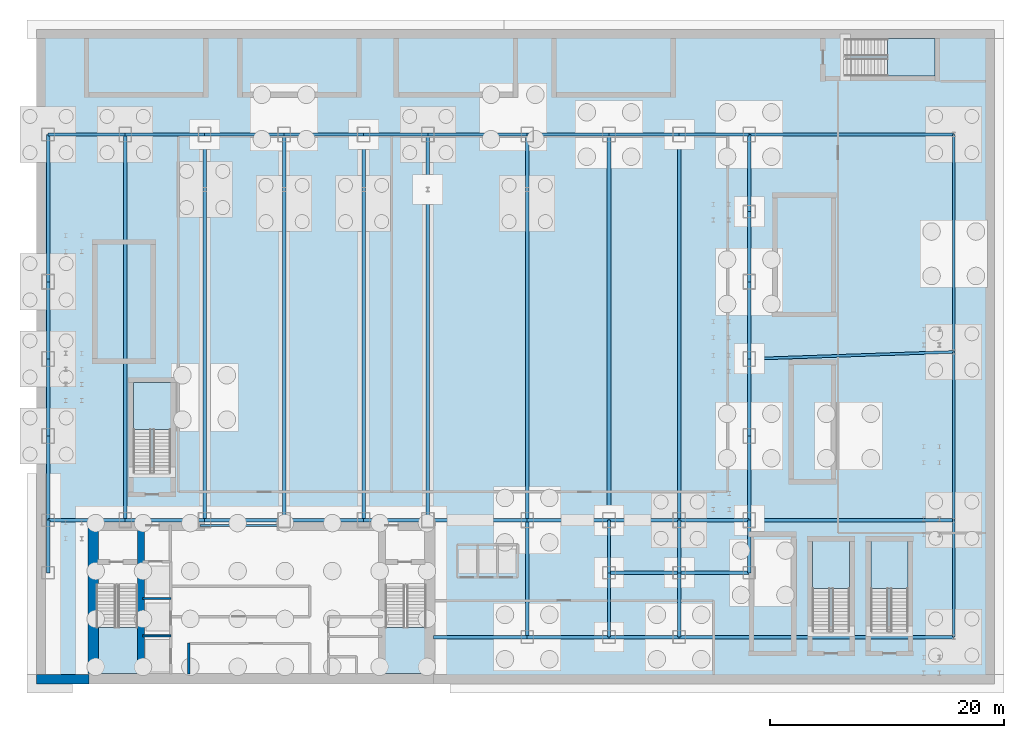
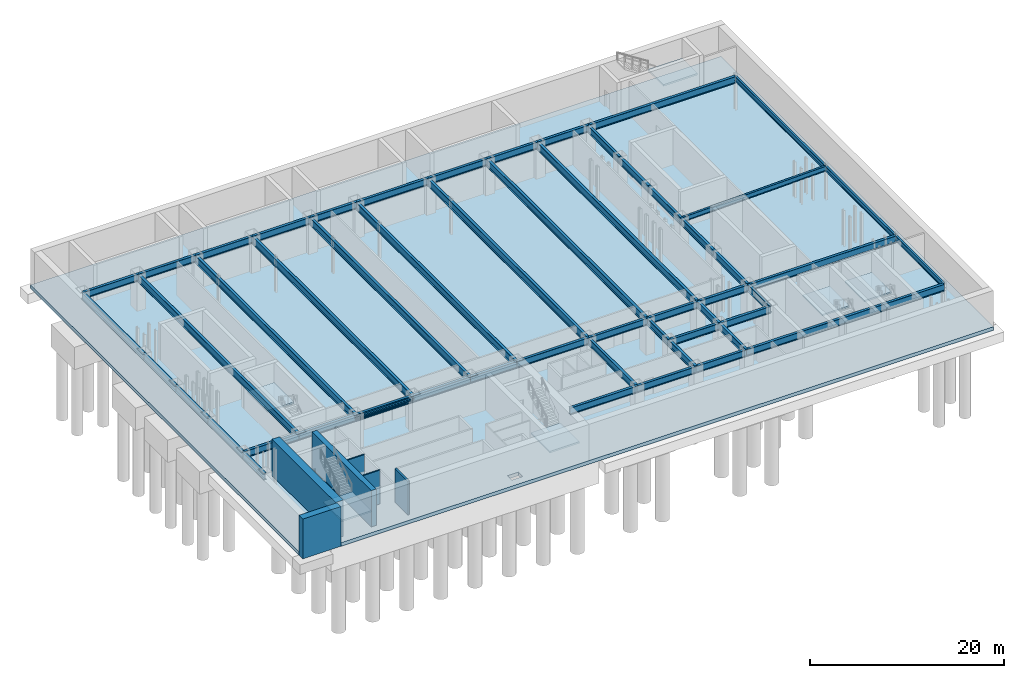
# One storey, part 9 of 17: 55 beams, 7 slabs, 6 walls, 6 elements without a shape of their own.
"""IFC4 building model written with IfcOpenShell, lengths in metres."""

from ifc_helpers import new_model, si_unit, derived_unit, direction, frame, frame_2d, origin, origin_2d, place, context, subcontext, project, spatial, polyline, rectangle, i_section, outline, extrude, source, transform, mapped, material, layer, layer_set, material_profile, profile_set, type_object, element, aggregate, save


model = new_model("IFC4")

# Units and contexts
model_context = context("Model", 3, precision=1e-05, world=origin(), true_north=direction((0.0, 1.0)))
body_context = subcontext(model_context, "Body", "Model", "MODEL_VIEW")
ifc_project = project(units=[si_unit("LENGTHUNIT", "METRE"), si_unit("AREAUNIT", "SQUARE_METRE"), si_unit("VOLUMEUNIT", "CUBIC_METRE"), si_unit("PLANEANGLEUNIT", "RADIAN"), si_unit("MASSUNIT", "GRAM", prefix="KILO"), derived_unit("THERMALTRANSMITTANCEUNIT", [(si_unit("POWERUNIT", "WATT"), 1), (si_unit("LENGTHUNIT", "METRE"), -2), (si_unit("THERMODYNAMICTEMPERATUREUNIT", "KELVIN"), -1)])], contexts=[model_context])

# Site, building, storey
site_placement = place(None, origin())
site = spatial("IfcSite", under=ifc_project, at=site_placement, CompositionType="ELEMENT")
building_placement = place(site_placement, origin())
building = spatial("IfcBuilding", under=site, at=building_placement, Name="Skarnbrae Concourse Arena and Tower", CompositionType="ELEMENT")
storey_placement = place(building_placement, frame((0.0, 0.0, -10.0)))
storey = spatial("IfcBuildingStorey", under=building, at=storey_placement, Name="B02", CompositionType="ELEMENT", Elevation=-10.0)

# Beams
ifc_material_1 = material(Name="Steel CSA G40.21 350W", Category="steel")
ifc_material_profile_1 = material_profile(ifc_material_1, i_section(OverallWidth=0.202880859375, OverallDepth=0.251953125, WebThickness=0.008056640625, FlangeThickness=0.013427734375, at=origin_2d()), Name="W250X58")
ifc_profile_set_1 = profile_set([ifc_material_profile_1], Name="Steel CSA G40.21 350W")
beam_type_1 = type_object("IfcBeamType", Name="BM-LINTEL-W250X58", PredefinedType="LINTEL", material=ifc_profile_set_1)
shared_shape_1 = source(origin(), body_context, "Body", "SweptSolid", [
    extrude(i_section(OverallWidth=0.202880859375, OverallDepth=0.251953125, WebThickness=0.008056640625, FlangeThickness=0.013427734375, at=origin_2d()), origin(), (0.0, 0.0, 1.0), 7.0),
])
beam_1_placement = place(storey_placement, frame((14.0, 13.550048828125, 4.573974609375), z_axis=(1.0, 0.0, 0.0), x_axis=(0.0, 1.0, 0.0)))
element("IfcBeam", 1, at=beam_1_placement, inside=storey, type_object=beam_type_1, Name="B02 Core portal coupling lintel", PredefinedType="LINTEL", context=body_context, shape_type="MappedRepresentation", body=[
    mapped(shared_shape_1, transform((0.0, 0.0, 0.0))),
])
ifc_material_profile_2 = material_profile(ifc_material_1, i_section(OverallWidth=0.2939453125, OverallDepth=0.85107421875, WebThickness=0.01611328125, FlangeThickness=0.02685546875, at=origin_2d()), Name="W840X226")
ifc_profile_set_2 = profile_set([ifc_material_profile_2], Name="Steel CSA G40.21 350W")
beam_type_2 = type_object("IfcBeamType", Name="BM-GIRD-W840X226", PredefinedType="BEAM", material=ifc_profile_set_2)
shared_shape_2 = source(origin(), body_context, "Body", "SweptSolid", [
    extrude(i_section(OverallWidth=0.2939453125, OverallDepth=0.85107421875, WebThickness=0.01611328125, FlangeThickness=0.02685546875, at=origin_2d()), origin(), (0.0, 0.0, 1.0), 6.60009765625),
])
for number, where, z_axis, x_axis, name in (
    (2, (1.0, 47.0, 4.2744140625), (1.0, 0.0, 0.0), (0.0, 1.0, 0.0), "B02 Podium north girder 1"),
    (3, (1.0, 14.0, 4.2744140625), (1.0, 0.0, 0.0), (0.0, 1.0, 0.0), "B02 Podium south spine girder 1"),
    (4, (1.0, 21.199951171875, 4.2744140625), (0.0, 1.0, 0.0), (-1.0, 0.0, 0.0), "B02 Podium west girder 3"),
    (5, (61.0, 21.199951171875, 4.2744140625), (0.0, 1.0, 0.0), (-1.0, 0.0, 0.0), "B02 Podium east girder 3"),
    (6, (61.0, 40.39990234375, 4.2744140625), (0.0, 1.0, 0.0), (-1.0, 0.0, 0.0), "B02 Podium east girder 6"),
):
    element("IfcBeam", number, at=place(storey_placement, frame(where, z_axis=z_axis, x_axis=x_axis)), inside=storey, type_object=beam_type_2, Name=name, PredefinedType="BEAM", context=body_context, shape_type="MappedRepresentation", body=[
        mapped(shared_shape_2, transform((0.0, 0.0, 0.0))),
    ])
shared_shape_3 = source(origin(), body_context, "Body", "SweptSolid", [
    extrude(i_section(OverallWidth=0.2939453125, OverallDepth=0.85107421875, WebThickness=0.01611328125, FlangeThickness=0.02685546875, at=origin_2d()), origin(), (0.0, 0.0, 1.0), 6.7998046875),
])
for number, where, z_axis, x_axis, name in (
    (7, (7.60009765625, 47.0, 4.2744140625), (1.0, 0.0, 0.0), (0.0, 1.0, 0.0), "B02 Podium north girder 2"),
    (8, (7.60009765625, 14.0, 4.2744140625), (1.0, 0.0, 0.0), (0.0, 1.0, 0.0), "B02 Podium south spine girder 2"),
):
    element("IfcBeam", number, at=place(storey_placement, frame(where, z_axis=z_axis, x_axis=x_axis)), inside=storey, type_object=beam_type_2, Name=name, PredefinedType="BEAM", context=body_context, shape_type="MappedRepresentation", body=[
        mapped(shared_shape_3, transform((0.0, 0.0, 0.0))),
    ])
shared_shape_4 = source(origin(), body_context, "Body", "SweptSolid", [
    extrude(i_section(OverallWidth=0.2939453125, OverallDepth=0.85107421875, WebThickness=0.01611328125, FlangeThickness=0.02685546875, at=origin_2d()), origin(), (0.0, 0.0, 1.0), 6.800048828125),
])
for number, where, z_axis, x_axis, name in (
    (9, (14.39990234375, 47.0, 4.2744140625), (1.0, 0.0, 0.0), (0.0, 1.0, 0.0), "B02 Podium north girder 3"),
    (10, (21.199951171875, 47.0, 4.2744140625), (1.0, 0.0, 0.0), (0.0, 1.0, 0.0), "B02 Podium north girder 4"),
    (11, (14.39990234375, 14.0, 4.2744140625), (1.0, 0.0, 0.0), (0.0, 1.0, 0.0), "B02 Podium south spine girder 3"),
    (12, (21.199951171875, 14.0, 4.2744140625), (1.0, 0.0, 0.0), (0.0, 1.0, 0.0), "B02 Podium south spine girder 4"),
):
    element("IfcBeam", number, at=place(storey_placement, frame(where, z_axis=z_axis, x_axis=x_axis)), inside=storey, type_object=beam_type_2, Name=name, PredefinedType="BEAM", context=body_context, shape_type="MappedRepresentation", body=[
        mapped(shared_shape_4, transform((0.0, 0.0, 0.0))),
    ])
shared_shape_5 = source(origin(), body_context, "Body", "SweptSolid", [
    extrude(i_section(OverallWidth=0.2939453125, OverallDepth=0.85107421875, WebThickness=0.01611328125, FlangeThickness=0.02685546875, at=origin_2d()), origin(), (0.0, 0.0, 1.0), 5.5),
])
for number, where, z_axis, x_axis, name in (
    (13, (28.0, 47.0, 4.2744140625), (1.0, 0.0, 0.0), (0.0, 1.0, 0.0), "B02 Podium north girder 5"),
    (14, (28.0, 14.0, 4.2744140625), (1.0, 0.0, 0.0), (0.0, 1.0, 0.0), "B02 Podium south spine girder 5"),
    (15, (49.0, 4.0, 4.2744140625), (0.0, 1.0, 0.0), (-1.0, 0.0, 0.0), "B02 SE south tie 49"),
    (16, (55.0, 4.0, 4.2744140625), (0.0, 1.0, 0.0), (-1.0, 0.0, 0.0), "B02 SE south tie 55"),
):
    element("IfcBeam", number, at=place(storey_placement, frame(where, z_axis=z_axis, x_axis=x_axis)), inside=storey, type_object=beam_type_2, Name=name, PredefinedType="BEAM", context=body_context, shape_type="MappedRepresentation", body=[
        mapped(shared_shape_5, transform((0.0, 0.0, 0.0))),
    ])
shared_shape_6 = source(origin(), body_context, "Body", "SweptSolid", [
    extrude(i_section(OverallWidth=0.2939453125, OverallDepth=0.85107421875, WebThickness=0.01611328125, FlangeThickness=0.02685546875, at=origin_2d()), origin(), (0.0, 0.0, 1.0), 8.5),
])
for number, where, z_axis, x_axis, name in (
    (17, (33.5, 47.0, 4.2744140625), (1.0, 0.0, 0.0), (0.0, 1.0, 0.0), "B02 Podium north girder 6"),
    (18, (33.5, 14.0, 4.2744140625), (1.0, 0.0, 0.0), (0.0, 1.0, 0.0), "B02 Podium south spine girder 6"),
):
    element("IfcBeam", number, at=place(storey_placement, frame(where, z_axis=z_axis, x_axis=x_axis)), inside=storey, type_object=beam_type_2, Name=name, PredefinedType="BEAM", context=body_context, shape_type="MappedRepresentation", body=[
        mapped(shared_shape_6, transform((0.0, 0.0, 0.0))),
    ])
shared_shape_7 = source(origin(), body_context, "Body", "SweptSolid", [
    extrude(i_section(OverallWidth=0.2939453125, OverallDepth=0.85107421875, WebThickness=0.01611328125, FlangeThickness=0.02685546875, at=origin_2d()), origin(), (0.0, 0.0, 1.0), 7.0),
])
for number, where, z_axis, x_axis, name in (
    (19, (42.0, 47.0, 4.2744140625), (1.0, 0.0, 0.0), (0.0, 1.0, 0.0), "B02 Podium north girder 7"),
    (20, (42.0, 14.0, 4.2744140625), (1.0, 0.0, 0.0), (0.0, 1.0, 0.0), "B02 Podium south spine girder 7"),
    (21, (42.0, 4.0, 4.2744140625), (1.0, 0.0, 0.0), (0.0, 1.0, 0.0), "B02 South-east girder 2"),
):
    element("IfcBeam", number, at=place(storey_placement, frame(where, z_axis=z_axis, x_axis=x_axis)), inside=storey, type_object=beam_type_2, Name=name, PredefinedType="BEAM", context=body_context, shape_type="MappedRepresentation", body=[
        mapped(shared_shape_7, transform((0.0, 0.0, 0.0))),
    ])
shared_shape_8 = source(origin(), body_context, "Body", "SweptSolid", [
    extrude(i_section(OverallWidth=0.2939453125, OverallDepth=0.85107421875, WebThickness=0.01611328125, FlangeThickness=0.02685546875, at=origin_2d()), origin(), (0.0, 0.0, 1.0), 6.0),
])
for number, where, z_axis, x_axis, name in (
    (22, (49.0, 47.0, 4.2744140625), (1.0, 0.0, 0.0), (0.0, 1.0, 0.0), "B02 Podium north girder 8"),
    (23, (55.0, 47.0, 4.2744140625), (1.0, 0.0, 0.0), (0.0, 1.0, 0.0), "B02 Podium north girder 9"),
    (24, (49.0, 14.0, 4.2744140625), (1.0, 0.0, 0.0), (0.0, 1.0, 0.0), "B02 Podium south spine girder 8"),
    (25, (55.0, 14.0, 4.2744140625), (1.0, 0.0, 0.0), (0.0, 1.0, 0.0), "B02 Podium south spine girder 9"),
    (26, (61.0, 34.39990234375, 4.2744140625), (0.0, 1.0, 0.0), (-1.0, 0.0, 0.0), "B02 Podium east girder 5"),
    (27, (49.0, 9.5, 4.2744140625), (1.0, 0.0, 0.0), (0.0, 1.0, 0.0), "B02 SE elbow girder 1"),
    (28, (55.0, 9.5, 4.2744140625), (1.0, 0.0, 0.0), (0.0, 1.0, 0.0), "B02 SE elbow girder 2"),
    (29, (49.0, 4.0, 4.2744140625), (1.0, 0.0, 0.0), (0.0, 1.0, 0.0), "B02 South-east girder 3"),
):
    element("IfcBeam", number, at=place(storey_placement, frame(where, z_axis=z_axis, x_axis=x_axis)), inside=storey, type_object=beam_type_2, Name=name, PredefinedType="BEAM", context=body_context, shape_type="MappedRepresentation", body=[
        mapped(shared_shape_8, transform((0.0, 0.0, 0.0))),
    ])
shared_shape_9 = source(origin(), body_context, "Body", "SweptSolid", [
    extrude(i_section(OverallWidth=0.2939453125, OverallDepth=0.85107421875, WebThickness=0.01611328125, FlangeThickness=0.02685546875, at=origin_2d()), origin(), (0.0, 0.0, 1.0), 17.5),
])
for number, where, z_axis, x_axis, name in (
    (30, (61.0, 47.0, 4.2744140625), (1.0, 0.0, 0.0), (0.0, 1.0, 0.0), "B02 Podium north girder 10"),
    (31, (61.0, 14.0, 4.2744140625), (1.0, 0.0, 0.0), (0.0, 1.0, 0.0), "B02 Podium south spine girder 10"),
):
    element("IfcBeam", number, at=place(storey_placement, frame(where, z_axis=z_axis, x_axis=x_axis)), inside=storey, type_object=beam_type_2, Name=name, PredefinedType="BEAM", context=body_context, shape_type="MappedRepresentation", body=[
        mapped(shared_shape_9, transform((0.0, 0.0, 0.0))),
    ])
shared_shape_10 = source(origin(), body_context, "Body", "SweptSolid", [
    extrude(i_section(OverallWidth=0.2939453125, OverallDepth=0.85107421875, WebThickness=0.01611328125, FlangeThickness=0.02685546875, at=origin_2d()), origin(), (0.0, 0.0, 1.0), 4.5),
])
for number, where, z_axis, x_axis, name in (
    (32, (1.0, 9.5, 4.2744140625), (0.0, 1.0, 0.0), (-1.0, 0.0, 0.0), "B02 Podium west girder 1"),
    (33, (61.0, 9.5, 4.2744140625), (0.0, 1.0, 0.0), (-1.0, 0.0, 0.0), "B02 Podium east girder 1"),
    (34, (49.0, 9.5, 4.2744140625), (0.0, 1.0, 0.0), (-1.0, 0.0, 0.0), "B02 SE north tie 49"),
    (35, (55.0, 9.5, 4.2744140625), (0.0, 1.0, 0.0), (-1.0, 0.0, 0.0), "B02 SE north tie 55"),
):
    element("IfcBeam", number, at=place(storey_placement, frame(where, z_axis=z_axis, x_axis=x_axis)), inside=storey, type_object=beam_type_2, Name=name, PredefinedType="BEAM", context=body_context, shape_type="MappedRepresentation", body=[
        mapped(shared_shape_10, transform((0.0, 0.0, 0.0))),
    ])
shared_shape_11 = source(origin(), body_context, "Body", "SweptSolid", [
    extrude(i_section(OverallWidth=0.2939453125, OverallDepth=0.85107421875, WebThickness=0.01611328125, FlangeThickness=0.02685546875, at=origin_2d()), origin(), (0.0, 0.0, 1.0), 7.199951171875),
])
for number, where, z_axis, x_axis, name in (
    (36, (1.0, 14.0, 4.2744140625), (0.0, 1.0, 0.0), (-1.0, 0.0, 0.0), "B02 Podium west girder 2"),
    (37, (61.0, 14.0, 4.2744140625), (0.0, 1.0, 0.0), (-1.0, 0.0, 0.0), "B02 Podium east girder 2"),
):
    element("IfcBeam", number, at=place(storey_placement, frame(where, z_axis=z_axis, x_axis=x_axis)), inside=storey, type_object=beam_type_2, Name=name, PredefinedType="BEAM", context=body_context, shape_type="MappedRepresentation", body=[
        mapped(shared_shape_11, transform((0.0, 0.0, 0.0))),
    ])
shared_shape_12 = source(origin(), body_context, "Body", "SweptSolid", [
    extrude(i_section(OverallWidth=0.2939453125, OverallDepth=0.85107421875, WebThickness=0.01611328125, FlangeThickness=0.02685546875, at=origin_2d()), origin(), (0.0, 0.0, 1.0), 6.599853515625),
])
for number, where, z_axis, x_axis, name in (
    (38, (1.0, 27.800048828125, 4.2744140625), (0.0, 1.0, 0.0), (-1.0, 0.0, 0.0), "B02 Podium west girder 4"),
    (39, (61.0, 27.800048828125, 4.2744140625), (0.0, 1.0, 0.0), (-1.0, 0.0, 0.0), "B02 Podium east girder 4"),
):
    element("IfcBeam", number, at=place(storey_placement, frame(where, z_axis=z_axis, x_axis=x_axis)), inside=storey, type_object=beam_type_2, Name=name, PredefinedType="BEAM", context=body_context, shape_type="MappedRepresentation", body=[
        mapped(shared_shape_12, transform((0.0, 0.0, 0.0))),
    ])
shared_shape_13 = source(origin(), body_context, "Body", "SweptSolid", [
    extrude(i_section(OverallWidth=0.2939453125, OverallDepth=0.85107421875, WebThickness=0.01611328125, FlangeThickness=0.02685546875, at=origin_2d()), origin(), (0.0, 0.0, 1.0), 12.60009765625),
])
beam_2_placement = place(storey_placement, frame((1.0, 34.39990234375, 4.2744140625), z_axis=(0.0, 1.0, 0.0), x_axis=(-1.0, 0.0, 0.0)))
element("IfcBeam", 40, at=beam_2_placement, inside=storey, type_object=beam_type_2, Name="B02 Podium west girder 5", PredefinedType="BEAM", context=body_context, shape_type="MappedRepresentation", body=[
    mapped(shared_shape_13, transform((0.0, 0.0, 0.0))),
])
ifc_material_profile_3 = material_profile(ifc_material_1, i_section(OverallWidth=0.22802734375, OverallDepth=0.60791015625, WebThickness=0.01123046875, FlangeThickness=0.017333984375, at=origin_2d()), Name="W610X113")
ifc_profile_set_3 = profile_set([ifc_material_profile_3], Name="Steel CSA G40.21 350W")
beam_type_3 = type_object("IfcBeamType", Name="BM-GIRD-W610X113", PredefinedType="BEAM", material=ifc_profile_set_3)
shared_shape_14 = source(origin(), body_context, "Body", "SweptSolid", [
    extrude(i_section(OverallWidth=0.22802734375, OverallDepth=0.60791015625, WebThickness=0.01123046875, FlangeThickness=0.017333984375, at=origin_2d()), origin(), (0.0, 0.0, 1.0), 10.0),
])
beam_3_placement = place(storey_placement, frame((78.5, 4.0, 4.39599609375), z_axis=(0.0, 1.0, 0.0), x_axis=(-1.0, 0.0, 0.0)))
element("IfcBeam", 41, at=beam_3_placement, inside=storey, type_object=beam_type_3, Name="B02 Podium outer east girder 1", PredefinedType="BEAM", context=body_context, shape_type="MappedRepresentation", body=[
    mapped(shared_shape_14, transform((0.0, 0.0, 0.0))),
])
shared_shape_15 = source(origin(), body_context, "Body", "SweptSolid", [
    extrude(i_section(OverallWidth=0.22802734375, OverallDepth=0.60791015625, WebThickness=0.01123046875, FlangeThickness=0.017333984375, at=origin_2d()), origin(), (0.0, 0.0, 1.0), 14.39990234375),
])
beam_4_placement = place(storey_placement, frame((78.5, 14.0, 4.39599609375), z_axis=(0.0, 1.0, 0.0), x_axis=(-1.0, 0.0, 0.0)))
element("IfcBeam", 42, at=beam_4_placement, inside=storey, type_object=beam_type_3, Name="B02 Podium outer east girder 2", PredefinedType="BEAM", context=body_context, shape_type="MappedRepresentation", body=[
    mapped(shared_shape_15, transform((0.0, 0.0, 0.0))),
])
shared_shape_16 = source(origin(), body_context, "Body", "SweptSolid", [
    extrude(i_section(OverallWidth=0.22802734375, OverallDepth=0.60791015625, WebThickness=0.01123046875, FlangeThickness=0.017333984375, at=origin_2d()), origin(), (0.0, 0.0, 1.0), 18.60009765625),
])
beam_5_placement = place(storey_placement, frame((78.5, 28.39990234375, 4.39599609375), z_axis=(0.0, 1.0, 0.0), x_axis=(-1.0, 0.0, 0.0)))
element("IfcBeam", 43, at=beam_5_placement, inside=storey, type_object=beam_type_3, Name="B02 Podium outer east girder 3", PredefinedType="BEAM", context=body_context, shape_type="MappedRepresentation", body=[
    mapped(shared_shape_16, transform((0.0, 0.0, 0.0))),
])
shared_shape_17 = source(origin(), body_context, "Body", "SweptSolid", [
    extrude(i_section(OverallWidth=0.22802734375, OverallDepth=0.60791015625, WebThickness=0.01123046875, FlangeThickness=0.017333984375, at=origin_2d()), origin(), (0.0, 0.0, 1.0), 17.51025390625),
])
beam_6_placement = place(storey_placement, frame((61.0, 27.800048828125, 4.39599609375), z_axis=(0.999413049025, 0.03425722463, 0.0), x_axis=(-0.03425722463, 0.999413049025, 0.0)))
element("IfcBeam", 44, at=beam_6_placement, inside=storey, type_object=beam_type_3, Name="B02 East concourse tie girder", PredefinedType="BEAM", context=body_context, shape_type="MappedRepresentation", body=[
    mapped(shared_shape_17, transform((0.0, 0.0, 0.0))),
])
shared_shape_18 = source(origin(), body_context, "Body", "SweptSolid", [
    extrude(i_section(OverallWidth=0.2939453125, OverallDepth=0.85107421875, WebThickness=0.01611328125, FlangeThickness=0.02685546875, at=origin_2d()), origin(), (0.0, 0.0, 1.0), 8.0),
])
beam_7_placement = place(storey_placement, frame((34.0, 4.0, 4.2744140625), z_axis=(1.0, 0.0, 0.0), x_axis=(0.0, 1.0, 0.0)))
element("IfcBeam", 45, at=beam_7_placement, inside=storey, type_object=beam_type_2, Name="B02 South-east girder 1", PredefinedType="BEAM", context=body_context, shape_type="MappedRepresentation", body=[
    mapped(shared_shape_18, transform((0.0, 0.0, 0.0))),
])
shared_shape_19 = source(origin(), body_context, "Body", "SweptSolid", [
    extrude(i_section(OverallWidth=0.2939453125, OverallDepth=0.85107421875, WebThickness=0.01611328125, FlangeThickness=0.02685546875, at=origin_2d()), origin(), (0.0, 0.0, 1.0), 23.5),
])
beam_8_placement = place(storey_placement, frame((55.0, 4.0, 4.2744140625), z_axis=(1.0, 0.0, 0.0), x_axis=(0.0, 1.0, 0.0)))
element("IfcBeam", 46, at=beam_8_placement, inside=storey, type_object=beam_type_2, Name="B02 South-east girder 4", PredefinedType="BEAM", context=body_context, shape_type="MappedRepresentation", body=[
    mapped(shared_shape_19, transform((0.0, 0.0, 0.0))),
])
shared_shape_20 = source(origin(), body_context, "Body", "SweptSolid", [
    extrude(i_section(OverallWidth=0.2939453125, OverallDepth=0.85107421875, WebThickness=0.01611328125, FlangeThickness=0.02685546875, at=origin_2d()), origin(), (0.0, 0.0, 1.0), 10.0),
])
beam_9_placement = place(storey_placement, frame((42.0, 4.0, 4.2744140625), z_axis=(0.0, 1.0, 0.0), x_axis=(-1.0, 0.0, 0.0)))
element("IfcBeam", 47, at=beam_9_placement, inside=storey, type_object=beam_type_2, Name="B02 SE cross tie 42", PredefinedType="BEAM", context=body_context, shape_type="MappedRepresentation", body=[
    mapped(shared_shape_20, transform((0.0, 0.0, 0.0))),
])
ifc_material_profile_4 = material_profile(ifc_material_1, i_section(OverallWidth=0.30908203125, OverallDepth=0.931884765625, WebThickness=0.01953125, FlangeThickness=0.034423828125, at=origin_2d()), Name="W920X313")
ifc_profile_set_4 = profile_set([ifc_material_profile_4], Name="Steel CSA G40.21 350W")
beam_type_4 = type_object("IfcBeamType", Name="BM-GIRD-W920X313", PredefinedType="BEAM", material=ifc_profile_set_4)
shared_shape_21 = source(origin(), body_context, "Body", "SweptSolid", [
    extrude(i_section(OverallWidth=0.30908203125, OverallDepth=0.931884765625, WebThickness=0.01953125, FlangeThickness=0.034423828125, at=origin_2d()), origin(), (0.0, 0.0, 1.0), 33.0),
])
for number, where, z_axis, x_axis, name in (
    (48, (7.60009765625, 14.0, 4.23388671875), (0.0, 1.0, 0.0), (-1.0, 0.0, 0.0), "B02 Arena span girder 1"),
    (49, (14.39990234375, 14.0, 4.23388671875), (0.0, 1.0, 0.0), (-1.0, 0.0, 0.0), "B02 Arena span girder 2"),
    (50, (21.199951171875, 14.0, 4.23388671875), (0.0, 1.0, 0.0), (-1.0, 0.0, 0.0), "B02 Arena span girder 3"),
    (51, (28.0, 14.0, 4.23388671875), (0.0, 1.0, 0.0), (-1.0, 0.0, 0.0), "B02 Arena span girder 4"),
    (52, (33.5, 14.0, 4.23388671875), (0.0, 1.0, 0.0), (-1.0, 0.0, 0.0), "B02 Arena span girder 5"),
    (53, (42.0, 14.0, 4.23388671875), (0.0, 1.0, 0.0), (-1.0, 0.0, 0.0), "B02 Arena span girder 6"),
    (54, (49.0, 14.0, 4.23388671875), (0.0, 1.0, 0.0), (-1.0, 0.0, 0.0), "B02 Arena span girder 7"),
    (55, (55.0, 14.0, 4.23388671875), (0.0, 1.0, 0.0), (-1.0, 0.0, 0.0), "B02 Arena span girder 8"),
):
    element("IfcBeam", number, at=place(storey_placement, frame(where, z_axis=z_axis, x_axis=x_axis)), inside=storey, type_object=beam_type_4, Name=name, PredefinedType="BEAM", context=body_context, shape_type="MappedRepresentation", body=[
        mapped(shared_shape_21, transform((0.0, 0.0, 0.0))),
    ])

# Slab
ifc_material_2 = material(Name="Concrete 40 MPa (C40/50)", Category="concrete")
ifc_layer_1 = layer(ifc_material_2, 0.449951171875)
ifc_layer_set_1 = layer_set([ifc_layer_1], Name="Concrete 40 MPa (C40/50)")
slab_type_1 = type_object("IfcSlabType", Name="SLAB-BASE-450", PredefinedType="BASESLAB", material=ifc_layer_set_1)
slab_1_placement = place(storey_placement, origin())
element("IfcSlab", 56, at=slab_1_placement, inside=storey, type_object=slab_type_1, Name="B02 Substructure reinforced concrete base slab", PredefinedType="BASESLAB", context=body_context, shape_type="SweptSolid", body=[
    extrude(outline(polyline([(0.0, 0.0), (82.0, 0.0), (82.0, 56.0), (0.0, 56.0), (0.0, 0.0)]), holes=[polyline([(25.35009765625, 1.85009765625), (26.64990234375, 1.85009765625), (26.64990234375, 0.949951171875), (25.35009765625, 0.949951171875), (25.35009765625, 1.85009765625)])]), origin(), (0.0, 0.0, 1.0), 0.449951171875),
])

# Stair, slab
stair_type_1 = type_object("IfcStairType", Name="STAIR-DOGLEG-1650", PredefinedType="HALF_TURN_STAIR", material=ifc_material_2)
stair_1_placement = place(storey_placement, origin())
stair_1 = element("IfcStair", 57, at=stair_1_placement, inside=storey, type_object=stair_type_1, Name="B02 Protected Exit Stair ST-1", PredefinedType="HALF_TURN_STAIR")
ifc_layer_2 = layer(ifc_material_2, 0.199951171875)
ifc_layer_set_2 = layer_set([ifc_layer_2], Name="Concrete 40 MPa (C40/50)")
slab_type_2 = type_object("IfcSlabType", Name="SLAB-LANDING-200", PredefinedType="LANDING", material=ifc_layer_set_2)
slab_2_placement = place(storey_placement, frame((0.0, 0.0, 2.300048828125)))
slab_2 = element("IfcSlab", 58, at=slab_2_placement, type_object=slab_type_2, Name="ST-1 landing 1", PredefinedType="LANDING", context=body_context, shape_type="SweptSolid", body=[
    extrude(outline(polyline([(5.14990234375, 4.81005859375), (5.14990234375, 0.89990234375), (8.64990234375, 0.89990234375), (8.64990234375, 4.81005859375), (5.14990234375, 4.81005859375)])), origin(), (0.0, 0.0, 1.0), 0.199951171875),
])
aggregate(stair_1, [slab_2])

stair_2_placement = place(storey_placement, origin())
stair_2 = element("IfcStair", 59, at=stair_2_placement, inside=storey, type_object=stair_type_1, Name="B02 Protected Exit Stair ST-2", PredefinedType="HALF_TURN_STAIR")
slab_3_placement = place(storey_placement, frame((0.0, 0.0, 2.300048828125)))
slab_3 = element("IfcSlab", 60, at=slab_3_placement, type_object=slab_type_2, Name="ST-2 landing 1", PredefinedType="LANDING", context=body_context, shape_type="SweptSolid", body=[
    extrude(outline(polyline([(29.85009765625, 4.81005859375), (29.85009765625, 0.89990234375), (33.35009765625, 0.89990234375), (33.35009765625, 4.81005859375), (29.85009765625, 4.81005859375)])), origin(), (0.0, 0.0, 1.0), 0.199951171875),
])
aggregate(stair_2, [slab_3])

stair_type_2 = type_object("IfcStairType", Name="STAIR-DOGLEG-1500", PredefinedType="HALF_TURN_STAIR", material=ifc_material_2)
stair_3_placement = place(storey_placement, origin())
stair_3 = element("IfcStair", 61, at=stair_3_placement, inside=storey, type_object=stair_type_2, Name="B02 Substructure Exit Stair ST-B1", PredefinedType="HALF_TURN_STAIR")
slab_4_placement = place(storey_placement, frame((0.0, 0.0, 2.300048828125)))
slab_4 = element("IfcSlab", 62, at=slab_4_placement, type_object=slab_type_2, Name="ST-B1 landing 1", PredefinedType="LANDING", context=body_context, shape_type="SweptSolid", body=[
    extrude(outline(polyline([(69.60009765625, 8.139892578125), (69.60009765625, 12.199951171875), (66.39990234375, 12.199951171875), (66.39990234375, 8.139892578125), (69.60009765625, 8.139892578125)])), origin(), (0.0, 0.0, 1.0), 0.199951171875),
])
aggregate(stair_3, [slab_4])

stair_4_placement = place(storey_placement, origin())
stair_4 = element("IfcStair", 63, at=stair_4_placement, inside=storey, type_object=stair_type_2, Name="B02 Substructure Exit Stair ST-B2", PredefinedType="HALF_TURN_STAIR")
slab_5_placement = place(storey_placement, frame((0.0, 0.0, 2.300048828125)))
slab_5 = element("IfcSlab", 64, at=slab_5_placement, type_object=slab_type_2, Name="ST-B2 landing 1", PredefinedType="LANDING", context=body_context, shape_type="SweptSolid", body=[
    extrude(outline(polyline([(74.60009765625, 8.139892578125), (74.60009765625, 12.199951171875), (71.39990234375, 12.199951171875), (71.39990234375, 8.139892578125), (74.60009765625, 8.139892578125)])), origin(), (0.0, 0.0, 1.0), 0.199951171875),
])
aggregate(stair_4, [slab_5])

stair_5_placement = place(storey_placement, origin())
stair_5 = element("IfcStair", 65, at=stair_5_placement, inside=storey, type_object=stair_type_2, Name="B02 Substructure Exit Stair ST-B3", PredefinedType="HALF_TURN_STAIR")
slab_6_placement = place(storey_placement, frame((0.0, 0.0, 2.300048828125)))
slab_6 = element("IfcSlab", 66, at=slab_6_placement, type_object=slab_type_2, Name="ST-B3 landing 1", PredefinedType="LANDING", context=body_context, shape_type="SweptSolid", body=[
    extrude(outline(polyline([(11.5, 21.739990234375), (11.5, 25.800048828125), (8.300048828125, 25.800048828125), (8.300048828125, 21.739990234375), (11.5, 21.739990234375)])), origin(), (0.0, 0.0, 1.0), 0.199951171875),
])
aggregate(stair_5, [slab_6])

stair_6_placement = place(storey_placement, origin())
stair_6 = element("IfcStair", 67, at=stair_6_placement, inside=storey, type_object=stair_type_2, Name="B02 Substructure Exit Stair ST-B4", PredefinedType="HALF_TURN_STAIR")
slab_7_placement = place(storey_placement, frame((0.0, 0.0, 2.300048828125)))
slab_7 = element("IfcSlab", 68, at=slab_7_placement, type_object=slab_type_2, Name="ST-B4 landing 1", PredefinedType="LANDING", context=body_context, shape_type="SweptSolid", body=[
    extrude(outline(polyline([(72.840087890625, 52.0), (76.89990234375, 52.0), (76.89990234375, 55.199951171875), (72.840087890625, 55.199951171875), (72.840087890625, 52.0)])), origin(), (0.0, 0.0, 1.0), 0.199951171875),
])
aggregate(stair_6, [slab_7])

# Walls
ifc_material_3 = material(Name="Concrete 50 MPa (C50/60)", Category="concrete")
ifc_layer_3 = layer(ifc_material_3, 0.800048828125)
ifc_layer_set_3 = layer_set([ifc_layer_3], Name="Concrete 50 MPa (C50/60)")
wall_type_1 = type_object("IfcWallType", Name="WALL-RETAINING-800", PredefinedType="USERDEFINED", material=ifc_layer_set_3)
shared_shape_22 = source(origin(), body_context, "Body", "SweptSolid", [
    extrude(rectangle(XDim=4.5, YDim=0.800048828125, at=frame_2d((2.25, 0.0))), origin(), (0.0, 0.0, 1.0), 5.0),
])
wall_1_placement = place(storey_placement, frame((0.0, 0.39990234375, 0.0), z_axis=(0.0, 0.0, 1.0), x_axis=(1.0, 0.0, 0.0)))
element("IfcWall", 69, at=wall_1_placement, inside=storey, type_object=wall_type_1, Name="B02 Basement retaining wall RW-SW", ObjectType="RETAINING WALL", PredefinedType="USERDEFINED", context=body_context, shape_type="MappedRepresentation", body=[
    mapped(shared_shape_22, transform((0.0, 0.0, 0.0))),
])
ifc_material_4 = material(Name="Concrete 70 MPa (C70/85)", Category="concrete")
ifc_layer_4 = layer(ifc_material_4, 0.89990234375)
ifc_layer_set_4 = layer_set([ifc_layer_4], Name="Concrete 70 MPa (C70/85)")
wall_type_2 = type_object("IfcWallType", Name="WALL-CORE-900-C70", PredefinedType="SHEAR", material=ifc_layer_set_4)
shared_shape_23 = source(origin(), body_context, "Body", "SweptSolid", [
    extrude(rectangle(XDim=13.10009765625, YDim=0.89990234375, at=frame_2d((6.550048828125, 0.0))), origin(), (0.0, 0.0, 1.0), 5.0),
])
wall_2_placement = place(storey_placement, frame((4.85009765625, 0.89990234375, 0.0), z_axis=(0.0, 0.0, 1.0), x_axis=(0.0, 1.0, 0.0)))
element("IfcWall", 70, at=wall_2_placement, inside=storey, type_object=wall_type_2, Name="B02 Rear core shear wall CW-W", PredefinedType="SHEAR", context=body_context, shape_type="MappedRepresentation", body=[
    mapped(shared_shape_23, transform((0.0, 0.0, 0.0))),
])
ifc_layer_5 = layer(ifc_material_4, 0.60009765625)
ifc_layer_set_5 = layer_set([ifc_layer_5], Name="Concrete 70 MPa (C70/85)")
wall_type_3 = type_object("IfcWallType", Name="WALL-CORE-600-C70", PredefinedType="SHEAR", material=ifc_layer_set_5)
shared_shape_24 = source(origin(), body_context, "Body", "SweptSolid", [
    extrude(rectangle(XDim=12.2001953125, YDim=0.60009765625, at=frame_2d((6.10009765625, 0.0))), origin(), (0.0, 0.0, 1.0), 5.0),
])
wall_3_placement = place(storey_placement, frame((8.93994140625, 0.89990234375, 0.0), z_axis=(0.0, 0.0, 1.0), x_axis=(0.0, 1.0, 0.0)))
element("IfcWall", 71, at=wall_3_placement, inside=storey, type_object=wall_type_3, Name="B02 Rear core shear wall CW-WEB-W", PredefinedType="SHEAR", context=body_context, shape_type="MappedRepresentation", body=[
    mapped(shared_shape_24, transform((0.0, 0.0, 0.0))),
])
ifc_material_5 = material(Name="Gypsum board on cold-formed steel studs", Category="steel")
ifc_layer_6 = layer(ifc_material_5, 0.14990234375)
ifc_layer_set_6 = layer_set([ifc_layer_6], Name="Gypsum board on cold-formed steel studs")
wall_type_4 = type_object("IfcWallType", Name="WALL-PART-150", PredefinedType="PARTITIONING", material=ifc_layer_set_6)
shared_shape_25 = source(origin(), body_context, "Body", "SweptSolid", [
    extrude(rectangle(XDim=2.39990234375, YDim=0.14990234375, at=frame_2d((1.199951171875, 0.0))), origin(), (0.0, 0.0, 1.0), 4.25),
])
for number, where, z_axis, x_axis, name in (
    (72, (9.10009765625, 4.10009765625, 0.449951171875), (0.0, 0.0, 1.0), (1.0, 0.0, 0.0), "B02 Interior partition wall W-B02-FL-D1"),
    (73, (9.10009765625, 7.300048828125, 0.449951171875), (0.0, 0.0, 1.0), (1.0, 0.0, 0.0), "B02 Interior partition wall W-B02-FL-D2"),
):
    element("IfcWall", number, at=place(storey_placement, frame(where, z_axis=z_axis, x_axis=x_axis)), inside=storey, type_object=wall_type_4, Name=name, PredefinedType="PARTITIONING", context=body_context, shape_type="MappedRepresentation", body=[
        mapped(shared_shape_25, transform((0.0, 0.0, 0.0))),
    ])
ifc_layer_7 = layer(ifc_material_5, 0.199951171875)
ifc_layer_set_7 = layer_set([ifc_layer_7], Name="Gypsum board on cold-formed steel studs")
wall_type_5 = type_object("IfcWallType", Name="WALL-PART-200-2HR", PredefinedType="PARTITIONING", material=ifc_layer_set_7)
shared_shape_26 = source(origin(), body_context, "Body", "SweptSolid", [
    extrude(rectangle(XDim=2.64990234375, YDim=0.199951171875, at=frame_2d((1.324951171875, 0.0))), origin(), (0.0, 0.0, 1.0), 4.25),
])
wall_4_placement = place(storey_placement, frame((13.050048828125, 0.85009765625, 0.449951171875), z_axis=(0.0, 0.0, 1.0), x_axis=(0.0, 1.0, 0.0)))
element("IfcWall", 74, at=wall_4_placement, inside=storey, type_object=wall_type_5, Name="B02 Interior partition wall W-B02-B1B-W", PredefinedType="PARTITIONING", context=body_context, shape_type="MappedRepresentation", body=[
    mapped(shared_shape_26, transform((0.0, 0.0, 0.0))),
])

save(model, "model.ifc")
